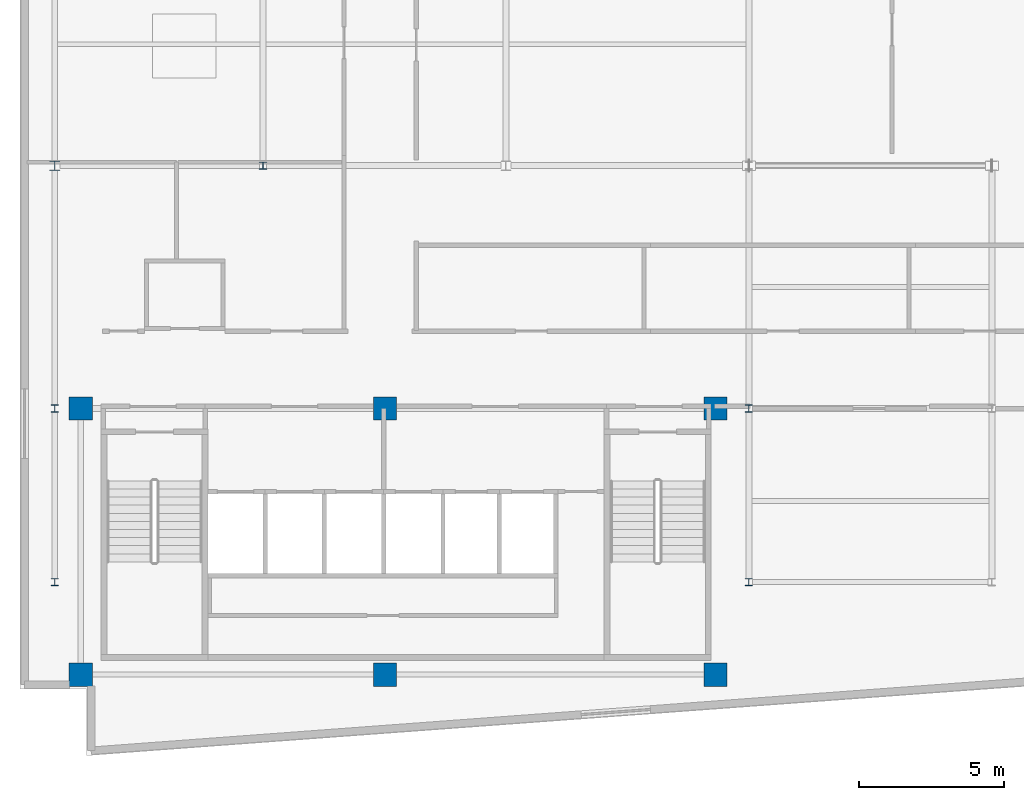
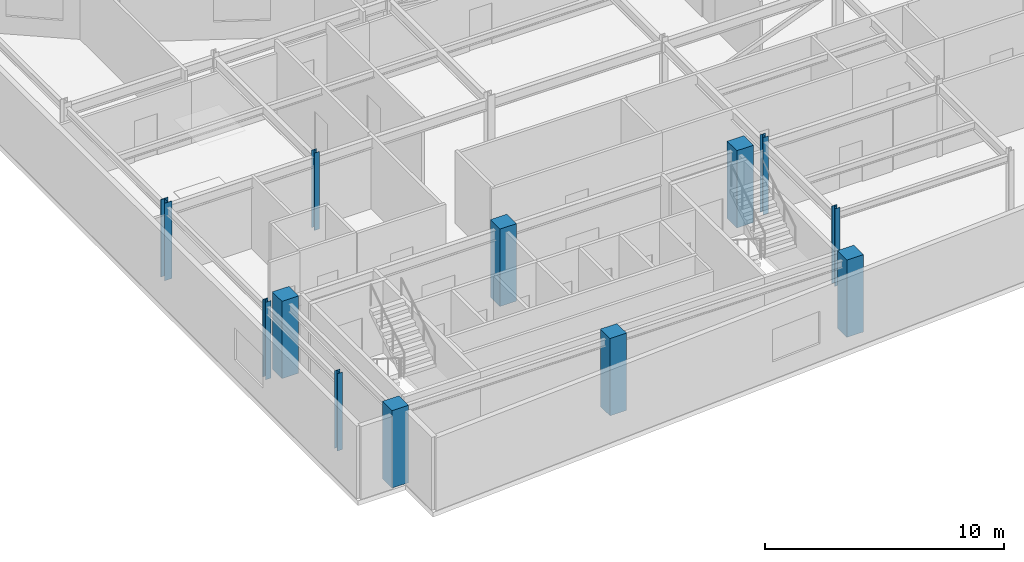
# One storey, part 1 of 16: 12 columns.
"""IFC4 building model written with IfcOpenShell, lengths in metres."""

from ifc_helpers import new_model, si_unit, direction, frame, origin, origin_2d, place, context, subcontext, project, spatial, rectangle, i_section, extrude, material, material_profile, profile_set, type_object, element, save


model = new_model("IFC4")

# Units and contexts
model_context = context("Model", 3, precision=1e-05, world=origin(), true_north=direction((0.0, 1.0)))
body_context = subcontext(model_context, "Body", "Model", "MODEL_VIEW")
ifc_project = project(units=[si_unit("LENGTHUNIT", "METRE"), si_unit("AREAUNIT", "SQUARE_METRE"), si_unit("VOLUMEUNIT", "CUBIC_METRE"), si_unit("PLANEANGLEUNIT", "RADIAN"), si_unit("MASSUNIT", "GRAM", prefix="KILO")], contexts=[model_context])

# Site, building, storey
site_placement = place(None, origin())
site = spatial("IfcSite", under=ifc_project, at=site_placement, CompositionType="ELEMENT")
building_placement = place(site_placement, origin())
building = spatial("IfcBuilding", under=site, at=building_placement, Name="Varnakote Quay Hospital", CompositionType="ELEMENT")
storey_placement = place(building_placement, frame((0.0, 0.0, 272.35009765625)))
storey = spatial("IfcBuildingStorey", under=building, at=storey_placement, Name="L67", CompositionType="ELEMENT", Elevation=272.35009765625)

# Columns
ifc_material_1 = material(Name="Concrete N50 (f'c 50 MPa)", Category="concrete")
ifc_material_profile_1 = material_profile(ifc_material_1, rectangle(XDim=0.800048828125, YDim=0.800048828125, at=origin_2d()), Name="RC-COL-800x800")
ifc_profile_set_1 = profile_set([ifc_material_profile_1], Name="Concrete N50 (f'c 50 MPa)")
column_type_1 = type_object("IfcColumnType", Name="COL-RC-800", PredefinedType="COLUMN", material=ifc_profile_set_1)
for number, where, z_axis, x_axis, name in (
    (1, (2.10009765625, 2.800048828125, 0.0), (0.0, 0.0, 1.0), (1.0, 0.0, 0.0), "L67 Structural Column C-2-3"),
    (2, (12.6201171875, 2.800048828125, 0.0), (0.0, 0.0, 1.0), (1.0, 0.0, 0.0), "L67 Structural Column C-13-3"),
    (3, (24.050048828125, 2.800048828125, 0.0), (0.0, 0.0, 1.0), (1.0, 0.0, 0.0), "L67 Structural Column C-24-3"),
    (4, (2.10009765625, 12.0, 0.0), (0.0, 0.0, 1.0), (1.0, 0.0, 0.0), "L67 Structural Column C-2-12"),
    (5, (12.6201171875, 12.0, 0.0), (0.0, 0.0, 1.0), (1.0, 0.0, 0.0), "L67 Structural Column C-13-12"),
    (6, (24.050048828125, 12.0, 0.0), (0.0, 0.0, 1.0), (1.0, 0.0, 0.0), "L67 Structural Column C-24-12"),
):
    element("IfcColumn", number, at=place(storey_placement, frame(where, z_axis=z_axis, x_axis=x_axis)), inside=storey, type_object=column_type_1, Name=name, PredefinedType="COLUMN", context=body_context, shape_type="SweptSolid", body=[
        extrude(rectangle(XDim=0.800048828125, YDim=0.800048828125, at=origin_2d()), origin(), (0.0, 0.0, 1.0), 3.949951171875),
    ])
ifc_material_2 = material(Name="Structural steel AS/NZS 3679.1 Grade 350 L0 (fy 340 MPa)", Category="steel")
ifc_material_profile_2 = material_profile(ifc_material_2, i_section(OverallWidth=0.25390625, OverallDepth=0.25390625, WebThickness=0.008544921875, FlangeThickness=0.01416015625, FilletRadius=0.0126953125, at=origin_2d()), Name="250UC72.9")
ifc_profile_set_2 = profile_set([ifc_material_profile_2], Name="Structural steel AS/NZS 3679.1 Grade 350 L0 (fy 340 MPa)")
column_type_2 = type_object("IfcColumnType", Name="COL-STL-250UC72-9", PredefinedType="COLUMN", material=ifc_profile_set_2)
for number, where, z_axis, x_axis, name in (
    (7, (1.199951171875, 6.0, 0.0), (0.0, 0.0, 1.0), (1.0, 0.0, 0.0), "L67 Structural Column C-1-6"),
    (8, (25.199951171875, 6.0, 0.0), (0.0, 0.0, 1.0), (1.0, 0.0, 0.0), "L67 Structural Column C-25-6"),
    (9, (1.199951171875, 12.0, 0.0), (0.0, 0.0, 1.0), (1.0, 0.0, 0.0), "L67 Structural Column C-1-12"),
    (10, (25.199951171875, 12.0, 0.0), (0.0, 0.0, 1.0), (1.0, 0.0, 0.0), "L67 Structural Column C-25-12"),
    (11, (8.39990234375, 20.39990234375, 0.0), (0.0, 0.0, 1.0), (1.0, 0.0, 0.0), "L67 Structural Column C-8-20"),
):
    element("IfcColumn", number, at=place(storey_placement, frame(where, z_axis=z_axis, x_axis=x_axis)), inside=storey, type_object=column_type_2, Name=name, PredefinedType="COLUMN", context=body_context, shape_type="SweptSolid", body=[
        extrude(i_section(OverallWidth=0.25390625, OverallDepth=0.25390625, WebThickness=0.008544921875, FlangeThickness=0.01416015625, FilletRadius=0.0126953125, at=origin_2d()), origin(), (0.0, 0.0, 1.0), 3.949951171875),
    ])
ifc_material_3 = material(Name="Structural steel AS/NZS 3678 Grade 350 (fy 340 MPa)", Category="steel")
ifc_material_profile_3 = material_profile(ifc_material_3, i_section(OverallWidth=0.35009765625, OverallDepth=0.340087890625, WebThickness=0.01611328125, FlangeThickness=0.028076171875, at=origin_2d()), Name="350WC197")
ifc_profile_set_3 = profile_set([ifc_material_profile_3], Name="Structural steel AS/NZS 3678 Grade 350 (fy 340 MPa)")
column_type_3 = type_object("IfcColumnType", Name="COL-STL-350WC197", PredefinedType="COLUMN", material=ifc_profile_set_3)
column_placement = place(storey_placement, frame((1.199951171875, 20.39990234375, 0.0), z_axis=(0.0, 0.0, 1.0), x_axis=(1.0, 0.0, 0.0)))
element("IfcColumn", 12, at=column_placement, inside=storey, type_object=column_type_3, Name="L67 Structural Column C-1-20", PredefinedType="COLUMN", context=body_context, shape_type="SweptSolid", body=[
    extrude(i_section(OverallWidth=0.35009765625, OverallDepth=0.340087890625, WebThickness=0.01611328125, FlangeThickness=0.028076171875, at=origin_2d()), origin(), (0.0, 0.0, 1.0), 3.949951171875),
])

save(model, "model.ifc")
